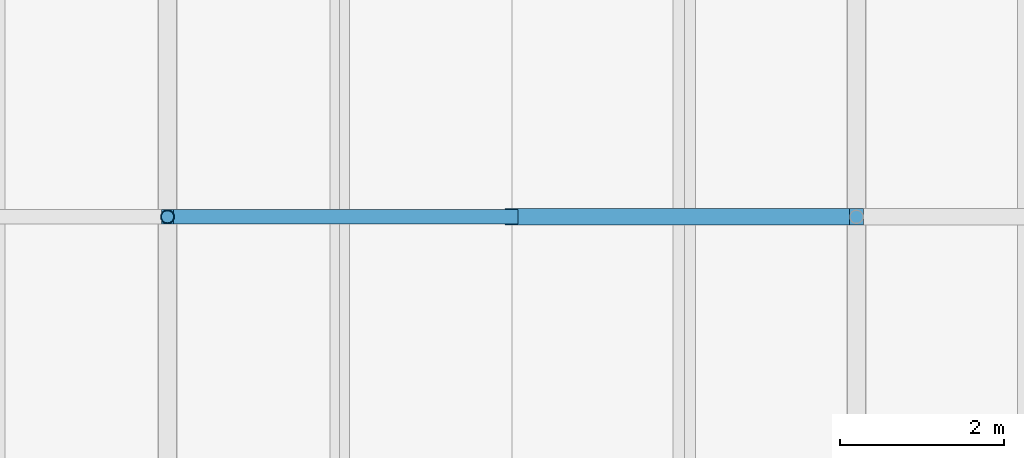
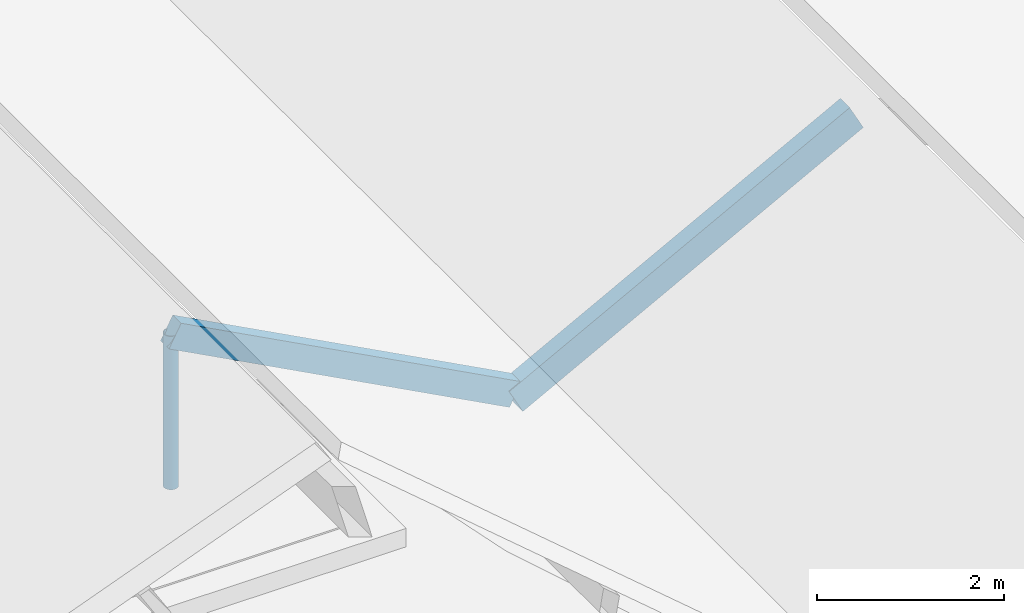
# One storey, part 19 of 82: 3 members.
"""IFC4 building model written with IfcOpenShell, lengths in metres."""

from ifc_helpers import new_model, si_unit, direction, frame, origin, origin_2d, place, context, subcontext, project, spatial, rectangle, hollow_circle, extrude, material, material_profile, profile_set, type_object, element, save


model = new_model("IFC4")

# Units and contexts
model_context = context("Model", 3, precision=1e-05, world=origin(), true_north=direction((0.0, 1.0)))
body_context = subcontext(model_context, "Body", "Model", "MODEL_VIEW")
ifc_project = project(units=[si_unit("LENGTHUNIT", "METRE"), si_unit("AREAUNIT", "SQUARE_METRE"), si_unit("VOLUMEUNIT", "CUBIC_METRE"), si_unit("PLANEANGLEUNIT", "RADIAN"), si_unit("MASSUNIT", "GRAM", prefix="KILO")], contexts=[model_context])

# Site, building, storey
site_placement = place(None, origin())
site = spatial("IfcSite", under=ifc_project, at=site_placement, CompositionType="ELEMENT")
building_placement = place(site_placement, origin())
building = spatial("IfcBuilding", under=site, at=building_placement, Name="Bramfleet General Hospital", CompositionType="ELEMENT")
storey_placement = place(building_placement, frame((0.0, 0.0, 34.199951171875)))
storey = spatial("IfcBuildingStorey", under=building, at=storey_placement, Name="Roof", CompositionType="ELEMENT", Elevation=34.199951171875)

# Members
ifc_material_1 = material(Name="Structural timber GL28h", Category="wood")
ifc_material_profile_1 = material_profile(ifc_material_1, rectangle(XDim=0.179931640625, YDim=0.320068359375, at=origin_2d()), Name="GL28h 320x180")
ifc_profile_set_1 = profile_set([ifc_material_profile_1], Name="Structural timber GL28h")
member_type_1 = type_object("IfcMemberType", Name="MEM-RF-GL320", PredefinedType="RAFTER", material=ifc_profile_set_1)
member_1_placement = place(storey_placement, frame((113.39990234375, 8.39990234375, 1.561279296875), z_axis=(0.882958848035, 0.0, -0.469450394267), x_axis=(0.0, 1.0, 0.0)))
element("IfcMember", 1, at=member_1_placement, inside=storey, type_object=member_type_1, Name="Patient House PH-06 East Glulam Rafter 1", PredefinedType="RAFTER", context=body_context, shape_type="SweptSolid", body=[
    extrude(rectangle(XDim=0.179931640625, YDim=0.320068359375, at=origin_2d()), origin(), (0.0, 0.0, 1.0), 4.7568359375),
])
ifc_material_profile_2 = material_profile(ifc_material_1, rectangle(XDim=0.199951171875, YDim=0.360107421875, at=origin_2d()), Name="GL28h 360x200")
ifc_profile_set_2 = profile_set([ifc_material_profile_2], Name="Structural timber GL28h")
member_type_2 = type_object("IfcMemberType", Name="MEM-RF-GL360", PredefinedType="RAFTER", material=ifc_profile_set_2)
member_2_placement = place(storey_placement, frame((117.60009765625, 8.39990234375, -0.75634765625), z_axis=(0.882947536541, 0.0, 0.469471668705), x_axis=(0.0, 1.0, 0.0)))
element("IfcMember", 2, at=member_2_placement, inside=storey, type_object=member_type_2, Name="Patient House PH-07 West Glulam Rafter 1", PredefinedType="RAFTER", context=body_context, shape_type="SweptSolid", body=[
    extrude(rectangle(XDim=0.199951171875, YDim=0.360107421875, at=origin_2d()), origin(), (0.0, 0.0, 1.0), 4.7568359375),
])
ifc_material_2 = material(Name="Steel S355", Category="steel")
ifc_material_profile_3 = material_profile(ifc_material_2, hollow_circle(Radius=0.084228515625, WallThickness=0.008056640625, at=origin_2d()), Name="CHS 168.3x8.0")
ifc_profile_set_3 = profile_set([ifc_material_profile_3], Name="Steel S355")
member_type_3 = type_object("IfcMemberType", Name="MEM-SF-DG1", PredefinedType="STRUT", material=ifc_profile_set_3)
member_3_placement = place(storey_placement, frame((113.39990234375, 8.39990234375, -0.43994140625), z_axis=(0.0, 0.0, 1.0), x_axis=(1.0, 0.0, 0.0)))
element("IfcMember", 3, at=member_3_placement, inside=storey, type_object=member_type_3, Name="Patient House PH-06 Ridge Timber Post 1", PredefinedType="STRUT", context=body_context, shape_type="SweptSolid", body=[
    extrude(hollow_circle(Radius=0.084228515625, WallThickness=0.008056640625, at=origin_2d()), origin(), (0.0, 0.0, 1.0), 2.001220703125),
])

save(model, "model.ifc")
